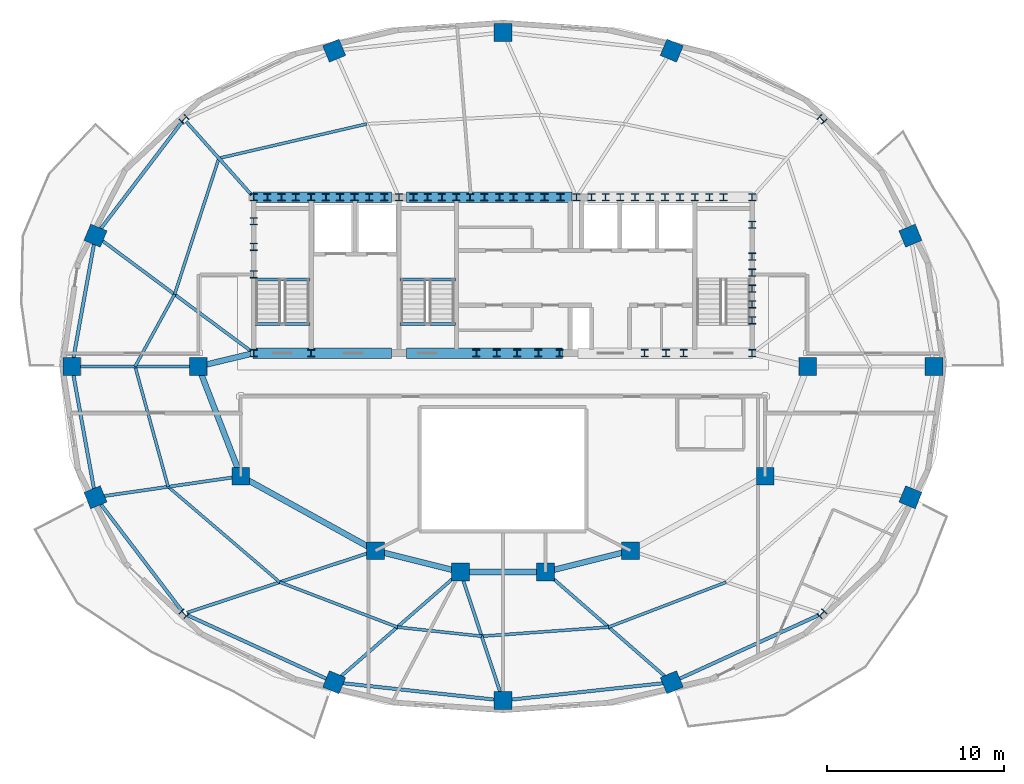
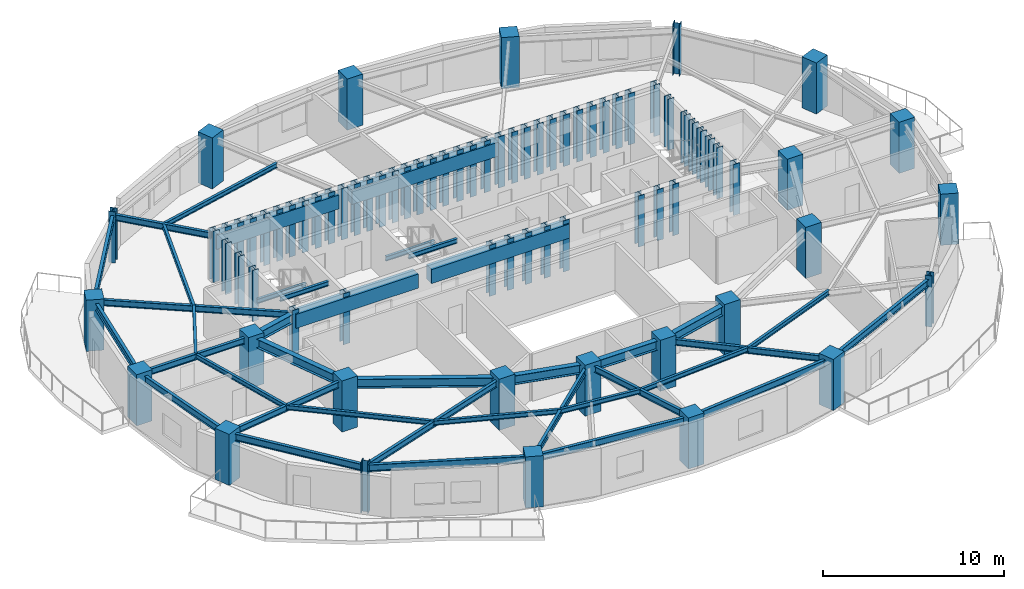
# One storey, part 1 of 9: 78 columns, 39 beams.
"""IFC4 building model written with IfcOpenShell, lengths in metres."""

from ifc_helpers import new_model, si_unit, direction, frame, origin, origin_2d, place, context, subcontext, project, spatial, rectangle, i_section, extrude, material, material_profile, profile_set, type_object, element, save


model = new_model("IFC4")

# Units and contexts
model_context = context("Model", 3, precision=1e-05, world=origin(), true_north=direction((0.0, 1.0)))
body_context = subcontext(model_context, "Body", "Model", "MODEL_VIEW")
ifc_project = project(units=[si_unit("LENGTHUNIT", "METRE"), si_unit("AREAUNIT", "SQUARE_METRE"), si_unit("VOLUMEUNIT", "CUBIC_METRE"), si_unit("PLANEANGLEUNIT", "RADIAN"), si_unit("MASSUNIT", "GRAM", prefix="KILO")], contexts=[model_context])

# Site, building, storey
site_placement = place(None, origin())
site = spatial("IfcSite", under=ifc_project, at=site_placement, CompositionType="ELEMENT")
building_placement = place(site_placement, origin())
building = spatial("IfcBuilding", under=site, at=building_placement, Name="Haldorwick Loom Tower", CompositionType="ELEMENT")
storey_placement = place(building_placement, frame((0.0, 0.0, 244.35009765625)))
storey = spatial("IfcBuildingStorey", under=building, at=storey_placement, Name="L66", CompositionType="ELEMENT", Elevation=244.35009765625)

# Columns
ifc_material_1 = material(Name="Concrete C60 (60 MPa)", Category="concrete")
ifc_material_profile_1 = material_profile(ifc_material_1, rectangle(XDim=1.0, YDim=1.0, at=origin_2d()), Name="RC1000X1000", Category="concrete")
ifc_profile_set_1 = profile_set([ifc_material_profile_1], Name="Concrete C60 (60 MPa)")
column_type_1 = type_object("IfcColumnType", Name="STR-COL-RC1000", PredefinedType="COLUMN", material=ifc_profile_set_1)
for number, where, z_axis, x_axis, name in (
    (1, (53.199951171875, 26.0, 0.0), (0.0, 0.0, 1.0), (1.0, 0.0, 0.0), "L66 Inner Column IC-01"),
    (2, (50.800048828125, 19.800048828125, 0.0), (0.0, 0.0, 1.0), (1.0, 0.0, 0.0), "L66 Inner Column IC-02"),
    (3, (43.199951171875, 15.60009765625, 0.0), (0.0, 0.0, 1.0), (1.0, 0.0, 0.0), "L66 Inner Column IC-03"),
    (4, (38.39990234375, 14.39990234375, 0.0), (0.0, 0.0, 1.0), (1.0, 0.0, 0.0), "L66 Inner Column IC-04"),
    (5, (33.60009765625, 14.39990234375, 0.0), (0.0, 0.0, 1.0), (1.0, 0.0, 0.0), "L66 Inner Column IC-05"),
    (6, (28.800048828125, 15.60009765625, 0.0), (0.0, 0.0, 1.0), (1.0, 0.0, 0.0), "L66 Inner Column IC-06"),
    (7, (21.199951171875, 19.800048828125, 0.0), (0.0, 0.0, 1.0), (1.0, 0.0, 0.0), "L66 Inner Column IC-07"),
    (8, (18.800048828125, 26.0, 0.0), (0.0, 0.0, 1.0), (1.0, 0.0, 0.0), "L66 Inner Column IC-08"),
    (9, (60.3369140625, 26.0, 0.0), (0.0, 0.0, 1.0), (1.0, 0.0, 0.0), "L66 Perimeter Pier Column P01"),
    (10, (59.004638671875, 33.3857421875, 0.0), (0.0, 0.0, 1.0), (0.923879532511, 0.382683432365, 0.0), "L66 Perimeter Pier Column P02"),
    (11, (45.52880859375, 43.830810546875, 0.0), (0.0, 0.0, 1.0), (0.382683432365, 0.923879532511, 0.0), "L66 Perimeter Pier Column P04"),
    (12, (36.0, 44.860107421875, 0.0), (0.0, 0.0, 1.0), (0.0, 1.0, 0.0), "L66 Perimeter Pier Column P05"),
    (13, (26.47119140625, 43.830810546875, 0.0), (0.0, 0.0, 1.0), (-0.382683432365, 0.923879532511, 0.0), "L66 Perimeter Pier Column P06"),
    (14, (12.995361328125, 33.3857421875, 0.0), (0.0, 0.0, 1.0), (-0.923879532511, 0.382683432365, 0.0), "L66 Perimeter Pier Column P08"),
    (15, (11.6630859375, 26.0, 0.0), (0.0, 0.0, 1.0), (-1.0, 0.0, 0.0), "L66 Perimeter Pier Column P09"),
    (16, (12.995361328125, 18.6142578125, 0.0), (0.0, 0.0, 1.0), (-0.923879532511, -0.382683432365, 0.0), "L66 Perimeter Pier Column P10"),
    (17, (26.47119140625, 8.169189453125, 0.0), (0.0, 0.0, 1.0), (-0.382683432365, -0.923879532511, 0.0), "L66 Perimeter Pier Column P12"),
    (18, (36.0, 7.139892578125, 0.0), (0.0, 0.0, 1.0), (0.0, -1.0, 0.0), "L66 Perimeter Pier Column P13"),
    (19, (45.52880859375, 8.169189453125, 0.0), (0.0, 0.0, 1.0), (0.382683432365, -0.923879532511, 0.0), "L66 Perimeter Pier Column P14"),
    (20, (59.004638671875, 18.6142578125, 0.0), (0.0, 0.0, 1.0), (0.923879532511, -0.382683432365, 0.0), "L66 Perimeter Pier Column P16"),
):
    element("IfcColumn", number, at=place(storey_placement, frame(where, z_axis=z_axis, x_axis=x_axis)), inside=storey, type_object=column_type_1, Name=name, PredefinedType="COLUMN", context=body_context, shape_type="SweptSolid", body=[
        extrude(rectangle(XDim=1.0, YDim=1.0, at=origin_2d()), origin(), (0.0, 0.0, 1.0), 3.449951171875),
    ])
ifc_material_2 = material(Name="Steel CSA G40.21 350W", Category="steel")
ifc_material_profile_2 = material_profile(ifc_material_2, i_section(OverallWidth=0.406005859375, OverallDepth=0.416015625, WebThickness=0.024169921875, FlangeThickness=0.03857421875, at=origin_2d()), Name="W360X382", Category="steel")
ifc_profile_set_2 = profile_set([ifc_material_profile_2], Name="Steel CSA G40.21 350W")
column_type_2 = type_object("IfcColumnType", Name="STR-COL-W360X382", PredefinedType="COLUMN", material=ifc_profile_set_2)
for number, where, z_axis, x_axis, name in (
    (21, (21.929931640625, 35.550048828125, 0.0), (0.0, 0.0, 1.0), (1.0, 0.0, 0.0), "L66 Core Pilaster CB-01"),
    (22, (23.5, 35.550048828125, 0.0), (0.0, 0.0, 1.0), (1.0, 0.0, 0.0), "L66 Core Pilaster CB-02"),
    (23, (25.169921875, 35.550048828125, 0.0), (0.0, 0.0, 1.0), (1.0, 0.0, 0.0), "L66 Core Pilaster CB-03"),
    (24, (26.800048828125, 35.550048828125, 0.0), (0.0, 0.0, 1.0), (1.0, 0.0, 0.0), "L66 Core Pilaster CB-04"),
    (25, (28.449951171875, 35.550048828125, 0.0), (0.0, 0.0, 1.0), (1.0, 0.0, 0.0), "L66 Core Pilaster CB-05"),
    (26, (30.1298828125, 35.550048828125, 0.0), (0.0, 0.0, 1.0), (1.0, 0.0, 0.0), "L66 Core Pilaster CB-06"),
    (27, (31.75, 35.550048828125, 0.0), (0.0, 0.0, 1.0), (1.0, 0.0, 0.0), "L66 Core Pilaster CB-07"),
    (28, (33.3701171875, 35.550048828125, 0.0), (0.0, 0.0, 1.0), (1.0, 0.0, 0.0), "L66 Core Pilaster CB-08"),
    (29, (34.949951171875, 35.550048828125, 0.0), (0.0, 0.0, 1.0), (1.0, 0.0, 0.0), "L66 Core Pilaster CB-09"),
    (30, (36.60009765625, 35.550048828125, 0.0), (0.0, 0.0, 1.0), (1.0, 0.0, 0.0), "L66 Core Pilaster CB-10"),
    (31, (38.35009765625, 35.550048828125, 0.0), (0.0, 0.0, 1.0), (1.0, 0.0, 0.0), "L66 Core Pilaster CB-11"),
    (32, (40.14990234375, 35.550048828125, 0.0), (0.0, 0.0, 1.0), (1.0, 0.0, 0.0), "L66 Core Pilaster CB-12"),
    (33, (41.800048828125, 35.550048828125, 0.0), (0.0, 0.0, 1.0), (1.0, 0.0, 0.0), "L66 Core Pilaster CB-13"),
    (34, (43.449951171875, 35.550048828125, 0.0), (0.0, 0.0, 1.0), (1.0, 0.0, 0.0), "L66 Core Pilaster CB-14"),
    (35, (45.14990234375, 35.550048828125, 0.0), (0.0, 0.0, 1.0), (1.0, 0.0, 0.0), "L66 Core Pilaster CB-15"),
    (36, (46.830078125, 35.550048828125, 0.0), (0.0, 0.0, 1.0), (1.0, 0.0, 0.0), "L66 Core Pilaster CB-16"),
    (37, (48.449951171875, 35.550048828125, 0.0), (0.0, 0.0, 1.0), (1.0, 0.0, 0.0), "L66 Core Pilaster CB-17"),
    (38, (50.070068359375, 35.550048828125, 0.0), (0.0, 0.0, 1.0), (1.0, 0.0, 0.0), "L66 Core Pilaster CB-18"),
    (39, (21.929931640625, 26.75, 0.0), (0.0, 0.0, 1.0), (1.0, 0.0, 0.0), "L66 Core Pilaster CB-19"),
    (40, (25.169921875, 26.75, 0.0), (0.0, 0.0, 1.0), (1.0, 0.0, 0.0), "L66 Core Pilaster CB-20"),
    (41, (34.5, 26.75, 0.0), (0.0, 0.0, 1.0), (1.0, 0.0, 0.0), "L66 Core Pilaster CB-21"),
    (42, (36.800048828125, 26.75, 0.0), (0.0, 0.0, 1.0), (1.0, 0.0, 0.0), "L66 Core Pilaster CB-22"),
    (43, (39.199951171875, 26.75, 0.0), (0.0, 0.0, 1.0), (1.0, 0.0, 0.0), "L66 Core Pilaster CB-23"),
    (44, (45.199951171875, 26.75, 0.0), (0.0, 0.0, 1.0), (1.0, 0.0, 0.0), "L66 Core Pilaster CB-24"),
    (45, (50.070068359375, 26.75, 0.0), (0.0, 0.0, 1.0), (1.0, 0.0, 0.0), "L66 Core Pilaster CB-25"),
    (46, (21.929931640625, 31.199951171875, 0.0), (0.0, 0.0, 1.0), (1.0, 0.0, 0.0), "L66 Core Pilaster CB-26"),
    (47, (21.929931640625, 32.75, 0.0), (0.0, 0.0, 1.0), (1.0, 0.0, 0.0), "L66 Core Pilaster CB-27"),
    (48, (21.929931640625, 34.199951171875, 0.0), (0.0, 0.0, 1.0), (1.0, 0.0, 0.0), "L66 Core Pilaster CB-28"),
    (49, (50.070068359375, 28.60009765625, 0.0), (0.0, 0.0, 1.0), (1.0, 0.0, 0.0), "L66 Core Pilaster CB-29"),
    (50, (50.070068359375, 30.39990234375, 0.0), (0.0, 0.0, 1.0), (1.0, 0.0, 0.0), "L66 Core Pilaster CB-30"),
    (51, (50.070068359375, 32.199951171875, 0.0), (0.0, 0.0, 1.0), (1.0, 0.0, 0.0), "L66 Core Pilaster CB-31"),
    (52, (50.070068359375, 34.0, 0.0), (0.0, 0.0, 1.0), (1.0, 0.0, 0.0), "L66 Core Pilaster CB-32"),
    (53, (22.699951171875, 35.550048828125, 0.0), (0.0, 0.0, 1.0), (1.0, 0.0, 0.0), "L66 Core Pilaster CB-33"),
    (54, (27.6201171875, 35.550048828125, 0.0), (0.0, 0.0, 1.0), (1.0, 0.0, 0.0), "L66 Core Pilaster CB-34"),
    (55, (32.550048828125, 35.550048828125, 0.0), (0.0, 0.0, 1.0), (1.0, 0.0, 0.0), "L66 Core Pilaster CB-35"),
    (56, (37.5, 35.550048828125, 0.0), (0.0, 0.0, 1.0), (1.0, 0.0, 0.0), "L66 Core Pilaster CB-36"),
    (57, (42.6201171875, 35.550048828125, 0.0), (0.0, 0.0, 1.0), (1.0, 0.0, 0.0), "L66 Core Pilaster CB-37"),
    (58, (47.64990234375, 35.550048828125, 0.0), (0.0, 0.0, 1.0), (1.0, 0.0, 0.0), "L66 Core Pilaster CB-38"),
    (59, (24.300048828125, 35.550048828125, 0.0), (0.0, 0.0, 1.0), (1.0, 0.0, 0.0), "L66 Core Pilaster CB-39"),
    (60, (26.0, 35.550048828125, 0.0), (0.0, 0.0, 1.0), (1.0, 0.0, 0.0), "L66 Core Pilaster CB-40"),
    (61, (29.300048828125, 35.550048828125, 0.0), (0.0, 0.0, 1.0), (1.0, 0.0, 0.0), "L66 Core Pilaster CB-41"),
    (62, (30.949951171875, 35.550048828125, 0.0), (0.0, 0.0, 1.0), (1.0, 0.0, 0.0), "L66 Core Pilaster CB-42"),
    (63, (34.14990234375, 35.550048828125, 0.0), (0.0, 0.0, 1.0), (1.0, 0.0, 0.0), "L66 Core Pilaster CB-43"),
    (64, (35.800048828125, 35.550048828125, 0.0), (0.0, 0.0, 1.0), (1.0, 0.0, 0.0), "L66 Core Pilaster CB-44"),
    (65, (39.25, 35.550048828125, 0.0), (0.0, 0.0, 1.0), (1.0, 0.0, 0.0), "L66 Core Pilaster CB-45"),
    (66, (41.0, 35.550048828125, 0.0), (0.0, 0.0, 1.0), (1.0, 0.0, 0.0), "L66 Core Pilaster CB-46"),
    (67, (44.300048828125, 35.550048828125, 0.0), (0.0, 0.0, 1.0), (1.0, 0.0, 0.0), "L66 Core Pilaster CB-47"),
    (68, (46.0, 35.550048828125, 0.0), (0.0, 0.0, 1.0), (1.0, 0.0, 0.0), "L66 Core Pilaster CB-48"),
    (69, (50.070068359375, 29.5, 0.0), (0.0, 0.0, 1.0), (1.0, 0.0, 0.0), "L66 Core Pilaster CB-49"),
    (70, (50.070068359375, 31.300048828125, 0.0), (0.0, 0.0, 1.0), (1.0, 0.0, 0.0), "L66 Core Pilaster CB-50"),
    (71, (35.64990234375, 26.75, 0.0), (0.0, 0.0, 1.0), (1.0, 0.0, 0.0), "L66 Core Pilaster CB-51"),
    (72, (38.0, 26.75, 0.0), (0.0, 0.0, 1.0), (1.0, 0.0, 0.0), "L66 Core Pilaster CB-52"),
    (73, (44.0, 26.75, 0.0), (0.0, 0.0, 1.0), (1.0, 0.0, 0.0), "L66 Core Pilaster CB-53"),
    (74, (46.199951171875, 26.75, 0.0), (0.0, 0.0, 1.0), (1.0, 0.0, 0.0), "L66 Core Pilaster CB-54"),
    (75, (54.005126953125, 39.958251953125, 0.0), (0.0, 0.0, 1.0), (0.707106781187, 0.707106781187, 0.0), "L66 Perimeter Pier Column P03"),
    (76, (17.994873046875, 39.958251953125, 0.0), (0.0, 0.0, 1.0), (-0.707106781187, 0.707106781187, 0.0), "L66 Perimeter Pier Column P07"),
    (77, (17.994873046875, 12.041748046875, 0.0), (0.0, 0.0, 1.0), (-0.707106781187, -0.707106781187, 0.0), "L66 Perimeter Pier Column P11"),
    (78, (54.005126953125, 12.041748046875, 0.0), (0.0, 0.0, 1.0), (0.707106781187, -0.707106781187, 0.0), "L66 Perimeter Pier Column P15"),
):
    element("IfcColumn", number, at=place(storey_placement, frame(where, z_axis=z_axis, x_axis=x_axis)), inside=storey, type_object=column_type_2, Name=name, PredefinedType="COLUMN", context=body_context, shape_type="SweptSolid", body=[
        extrude(i_section(OverallWidth=0.406005859375, OverallDepth=0.416015625, WebThickness=0.024169921875, FlangeThickness=0.03857421875, at=origin_2d()), origin(), (0.0, 0.0, 1.0), 3.449951171875),
    ])

# Beams
ifc_material_3 = material(Name="Concrete C50 (50 MPa)", Category="concrete")
ifc_material_profile_3 = material_profile(ifc_material_3, rectangle(XDim=0.60009765625, YDim=0.949951171875, at=origin_2d()), Name="RC600X950", Category="concrete")
ifc_profile_set_3 = profile_set([ifc_material_profile_3], Name="Concrete C50 (50 MPa)")
beam_type_1 = type_object("IfcBeamType", Name="STR-BM-CB950", PredefinedType="LINTEL", material=ifc_profile_set_3)
beam_1_placement = place(storey_placement, frame((21.89990234375, 35.550048828125, 2.71484375), z_axis=(1.0, 0.0, 0.0), x_axis=(0.0, 1.0, 0.0)))
element("IfcBeam", 79, at=beam_1_placement, inside=storey, type_object=beam_type_1, Name="L66 Core Coupling Beam CB-N1", PredefinedType="LINTEL", context=body_context, shape_type="SweptSolid", body=[
    extrude(rectangle(XDim=0.60009765625, YDim=0.949951171875, at=origin_2d()), origin(), (0.0, 0.0, 1.0), 7.800048828125),
])
beam_2_placement = place(storey_placement, frame((30.550048828125, 35.550048828125, 2.71484375), z_axis=(1.0, 0.0, 0.0), x_axis=(0.0, 1.0, 0.0)))
element("IfcBeam", 80, at=beam_2_placement, inside=storey, type_object=beam_type_1, Name="L66 Core Coupling Beam CB-N2", PredefinedType="LINTEL", context=body_context, shape_type="SweptSolid", body=[
    extrude(rectangle(XDim=0.60009765625, YDim=0.949951171875, at=origin_2d()), origin(), (0.0, 0.0, 1.0), 9.349853515625),
])
beam_3_placement = place(storey_placement, frame((21.89990234375, 26.75, 2.71484375), z_axis=(1.0, 0.0, 0.0), x_axis=(0.0, 1.0, 0.0)))
element("IfcBeam", 81, at=beam_3_placement, inside=storey, type_object=beam_type_1, Name="L66 Core Coupling Beam CB-S1", PredefinedType="LINTEL", context=body_context, shape_type="SweptSolid", body=[
    extrude(rectangle(XDim=0.60009765625, YDim=0.949951171875, at=origin_2d()), origin(), (0.0, 0.0, 1.0), 7.800048828125),
])
beam_4_placement = place(storey_placement, frame((30.550048828125, 26.75, 2.71484375), z_axis=(1.0, 0.0, 0.0), x_axis=(0.0, 1.0, 0.0)))
element("IfcBeam", 82, at=beam_4_placement, inside=storey, type_object=beam_type_1, Name="L66 Core Coupling Beam CB-S2", PredefinedType="LINTEL", context=body_context, shape_type="SweptSolid", body=[
    extrude(rectangle(XDim=0.60009765625, YDim=0.949951171875, at=origin_2d()), origin(), (0.0, 0.0, 1.0), 8.800048828125),
])
ifc_material_profile_4 = material_profile(ifc_material_2, i_section(OverallWidth=0.166015625, OverallDepth=0.31298828125, WebThickness=0.006591796875, FlangeThickness=0.01123046875, at=origin_2d()), Name="W310X45", Category="steel")
ifc_profile_set_4 = profile_set([ifc_material_profile_4], Name="Steel CSA G40.21 350W")
beam_type_2 = type_object("IfcBeamType", Name="STR-BM-J310", PredefinedType="JOIST", material=ifc_profile_set_4)
beam_5_placement = place(storey_placement, frame((28.300537109375, 39.6904296875, 3.033447265625), z_axis=(-0.974080706337, -0.226200746112, 0.0), x_axis=(0.226200746112, -0.974080706337, 0.0)))
element("IfcBeam", 83, at=beam_5_placement, inside=storey, type_object=beam_type_2, Name="L66 Mid-Bay Secondary Joist 6", PredefinedType="JOIST", context=body_context, shape_type="SweptSolid", body=[
    extrude(i_section(OverallWidth=0.166015625, OverallDepth=0.31298828125, WebThickness=0.006591796875, FlangeThickness=0.01123046875, at=origin_2d()), origin(), (0.0, 0.0, 1.0), 8.56005859375),
])
beam_6_placement = place(storey_placement, frame((19.96240234375, 37.754150390625, 3.033447265625), z_axis=(-0.309277990337, -0.95097167397, 0.0), x_axis=(0.95097167397, -0.309277990337, 0.0)))
element("IfcBeam", 84, at=beam_6_placement, inside=storey, type_object=beam_type_2, Name="L66 Mid-Bay Secondary Joist 7", PredefinedType="JOIST", context=body_context, shape_type="SweptSolid", body=[
    extrude(i_section(OverallWidth=0.166015625, OverallDepth=0.31298828125, WebThickness=0.006591796875, FlangeThickness=0.01123046875, at=origin_2d()), origin(), (0.0, 0.0, 1.0), 8.08251953125),
])
beam_7_placement = place(storey_placement, frame((17.462646484375, 30.06787109375, 3.033447265625), z_axis=(-0.480863931781, -0.876795232145, 0.0), x_axis=(0.876795232145, -0.480863931781, 0.0)))
element("IfcBeam", 85, at=beam_7_placement, inside=storey, type_object=beam_type_2, Name="L66 Mid-Bay Secondary Joist 8", PredefinedType="JOIST", context=body_context, shape_type="SweptSolid", body=[
    extrude(i_section(OverallWidth=0.166015625, OverallDepth=0.31298828125, WebThickness=0.006591796875, FlangeThickness=0.01123046875, at=origin_2d()), origin(), (0.0, 0.0, 1.0), 4.639404296875),
])
beam_8_placement = place(storey_placement, frame((15.231689453125, 26.0, 3.033447265625), z_axis=(0.264879381431, -0.964281552915, 0.0), x_axis=(0.964281552915, 0.264879381431, 0.0)))
element("IfcBeam", 86, at=beam_8_placement, inside=storey, type_object=beam_type_2, Name="L66 Mid-Bay Secondary Joist 9", PredefinedType="JOIST", context=body_context, shape_type="SweptSolid", body=[
    extrude(i_section(OverallWidth=0.166015625, OverallDepth=0.31298828125, WebThickness=0.006591796875, FlangeThickness=0.01123046875, at=origin_2d()), origin(), (0.0, 0.0, 1.0), 7.044677734375),
])
beam_9_placement = place(storey_placement, frame((17.09765625, 19.20703125, 3.033447265625), z_axis=(0.760066902561, -0.649844830426, 0.0), x_axis=(0.649844830426, 0.760066902561, 0.0)))
element("IfcBeam", 87, at=beam_9_placement, inside=storey, type_object=beam_type_2, Name="L66 Mid-Bay Secondary Joist 10", PredefinedType="JOIST", context=body_context, shape_type="SweptSolid", body=[
    extrude(i_section(OverallWidth=0.166015625, OverallDepth=0.31298828125, WebThickness=0.006591796875, FlangeThickness=0.01123046875, at=origin_2d()), origin(), (0.0, 0.0, 1.0), 8.28857421875),
])
beam_10_placement = place(storey_placement, frame((23.3974609375, 13.82080078125, 3.033447265625), z_axis=(0.934134056558, -0.356922350628, 0.0), x_axis=(0.356922350628, 0.934134056558, 0.0)))
element("IfcBeam", 88, at=beam_10_placement, inside=storey, type_object=beam_type_2, Name="L66 Mid-Bay Secondary Joist 11", PredefinedType="JOIST", context=body_context, shape_type="SweptSolid", body=[
    extrude(i_section(OverallWidth=0.166015625, OverallDepth=0.31298828125, WebThickness=0.006591796875, FlangeThickness=0.01123046875, at=origin_2d()), origin(), (0.0, 0.0, 1.0), 7.106201171875),
])
beam_11_placement = place(storey_placement, frame((30.03564453125, 11.284423828125, 3.033447265625), z_axis=(0.994221899005, -0.107344378232, 0.0), x_axis=(0.107344378232, 0.994221899005, 0.0)))
element("IfcBeam", 89, at=beam_11_placement, inside=storey, type_object=beam_type_2, Name="L66 Mid-Bay Secondary Joist 12", PredefinedType="JOIST", context=body_context, shape_type="SweptSolid", body=[
    extrude(i_section(OverallWidth=0.166015625, OverallDepth=0.31298828125, WebThickness=0.006591796875, FlangeThickness=0.01123046875, at=origin_2d()), origin(), (0.0, 0.0, 1.0), 4.7919921875),
])
beam_12_placement = place(storey_placement, frame((34.800048828125, 10.77001953125, 3.033447265625), z_axis=(0.997432233153, 0.071616620046, 0.0), x_axis=(-0.071616620046, 0.997432233153, 0.0)))
element("IfcBeam", 90, at=beam_12_placement, inside=storey, type_object=beam_type_2, Name="L66 Mid-Bay Secondary Joist 13", PredefinedType="JOIST", context=body_context, shape_type="SweptSolid", body=[
    extrude(i_section(OverallWidth=0.166015625, OverallDepth=0.31298828125, WebThickness=0.006591796875, FlangeThickness=0.01123046875, at=origin_2d()), origin(), (0.0, 0.0, 1.0), 7.182861328125),
])
beam_13_placement = place(storey_placement, frame((41.96435546875, 11.284423828125, 3.033447265625), z_axis=(0.934134056558, 0.356922350628, 0.0), x_axis=(-0.356922350628, 0.934134056558, 0.0)))
element("IfcBeam", 91, at=beam_13_placement, inside=storey, type_object=beam_type_2, Name="L66 Mid-Bay Secondary Joist 14", PredefinedType="JOIST", context=body_context, shape_type="SweptSolid", body=[
    extrude(i_section(OverallWidth=0.166015625, OverallDepth=0.31298828125, WebThickness=0.006591796875, FlangeThickness=0.01123046875, at=origin_2d()), origin(), (0.0, 0.0, 1.0), 7.106201171875),
])
ifc_material_profile_5 = material_profile(ifc_material_2, i_section(OverallWidth=0.179931640625, OverallDepth=0.4130859375, WebThickness=0.009765625, FlangeThickness=0.01611328125, at=origin_2d()), Name="W410X74", Category="steel")
ifc_profile_set_5 = profile_set([ifc_material_profile_5], Name="Steel CSA G40.21 350W")
beam_type_3 = type_object("IfcBeamType", Name="STR-BM-J410", PredefinedType="JOIST", material=ifc_profile_set_5)
beam_14_placement = place(storey_placement, frame((21.8115234375, 35.682861328125, 2.9833984375), z_axis=(-0.665966842703, 0.745981343212, 0.0), x_axis=(-0.745981343212, -0.665966842703, 0.0)))
element("IfcBeam", 92, at=beam_14_placement, inside=storey, type_object=beam_type_3, Name="L66 Radial Floor Girder 7", PredefinedType="JOIST", context=body_context, shape_type="SweptSolid", body=[
    extrude(i_section(OverallWidth=0.179931640625, OverallDepth=0.4130859375, WebThickness=0.009765625, FlangeThickness=0.01611328125, at=origin_2d()), origin(), (0.0, 0.0, 1.0), 5.55322265625),
])
beam_15_placement = place(storey_placement, frame((21.787109375, 26.856201171875, 2.9833984375), z_axis=(-0.802807271117, 0.596238614518, 0.0), x_axis=(-0.596238614518, -0.802807271117, 0.0)))
element("IfcBeam", 93, at=beam_15_placement, inside=storey, type_object=beam_type_3, Name="L66 Radial Floor Girder 8", PredefinedType="JOIST", context=body_context, shape_type="SweptSolid", body=[
    extrude(i_section(OverallWidth=0.179931640625, OverallDepth=0.4130859375, WebThickness=0.009765625, FlangeThickness=0.01611328125, at=origin_2d()), origin(), (0.0, 0.0, 1.0), 10.476318359375),
])
beam_16_placement = place(storey_placement, frame((18.324951171875, 26.0, 2.9833984375), z_axis=(-1.0, 0.0, 0.0), x_axis=(0.0, -1.0, 0.0)))
element("IfcBeam", 94, at=beam_16_placement, inside=storey, type_object=beam_type_3, Name="L66 Radial Floor Girder 9", PredefinedType="JOIST", context=body_context, shape_type="SweptSolid", body=[
    extrude(i_section(OverallWidth=0.179931640625, OverallDepth=0.4130859375, WebThickness=0.009765625, FlangeThickness=0.01611328125, at=origin_2d()), origin(), (0.0, 0.0, 1.0), 6.186767578125),
])
beam_17_placement = place(storey_placement, frame((20.72998046875, 19.732177734375, 2.9833984375), z_axis=(-0.989713971376, -0.143060318968, 0.0), x_axis=(0.143060318968, -0.989713971376, 0.0)))
element("IfcBeam", 95, at=beam_17_placement, inside=storey, type_object=beam_type_3, Name="L66 Radial Floor Girder 10", PredefinedType="JOIST", context=body_context, shape_type="SweptSolid", body=[
    extrude(i_section(OverallWidth=0.179931640625, OverallDepth=0.4130859375, WebThickness=0.009765625, FlangeThickness=0.01611328125, at=origin_2d()), origin(), (0.0, 0.0, 1.0), 7.33984375),
])
beam_18_placement = place(storey_placement, frame((28.348876953125, 15.451416015625, 2.9833984375), z_axis=(-0.94982454623, -0.312783201882, 0.0), x_axis=(0.312783201882, -0.94982454623, 0.0)))
element("IfcBeam", 96, at=beam_18_placement, inside=storey, type_object=beam_type_3, Name="L66 Radial Floor Girder 11", PredefinedType="JOIST", context=body_context, shape_type="SweptSolid", body=[
    extrude(i_section(OverallWidth=0.179931640625, OverallDepth=0.4130859375, WebThickness=0.009765625, FlangeThickness=0.01611328125, at=origin_2d()), origin(), (0.0, 0.0, 1.0), 10.72314453125),
])
beam_19_placement = place(storey_placement, frame((33.242431640625, 14.08740234375, 2.9833984375), z_axis=(-0.752935231169, -0.65809462668, 0.0), x_axis=(0.65809462668, -0.752935231169, 0.0)))
element("IfcBeam", 97, at=beam_19_placement, inside=storey, type_object=beam_type_3, Name="L66 Radial Floor Girder 12", PredefinedType="JOIST", context=body_context, shape_type="SweptSolid", body=[
    extrude(i_section(OverallWidth=0.179931640625, OverallDepth=0.4130859375, WebThickness=0.009765625, FlangeThickness=0.01611328125, at=origin_2d()), origin(), (0.0, 0.0, 1.0), 8.51806640625),
])
beam_20_placement = place(storey_placement, frame((33.7490234375, 13.948974609375, 2.9833984375), z_axis=(0.31387519153, -0.949464251113, 0.0), x_axis=(0.949464251113, 0.31387519153, 0.0)))
element("IfcBeam", 98, at=beam_20_placement, inside=storey, type_object=beam_type_3, Name="L66 Radial Floor Girder 13", PredefinedType="JOIST", context=body_context, shape_type="SweptSolid", body=[
    extrude(i_section(OverallWidth=0.179931640625, OverallDepth=0.4130859375, WebThickness=0.009765625, FlangeThickness=0.01611328125, at=origin_2d()), origin(), (0.0, 0.0, 1.0), 6.6962890625),
])
beam_21_placement = place(storey_placement, frame((38.757568359375, 14.08740234375, 2.9833984375), z_axis=(0.752935231169, -0.65809462668, 0.0), x_axis=(0.65809462668, 0.752935231169, 0.0)))
element("IfcBeam", 99, at=beam_21_placement, inside=storey, type_object=beam_type_3, Name="L66 Radial Floor Girder 14", PredefinedType="JOIST", context=body_context, shape_type="SweptSolid", body=[
    extrude(i_section(OverallWidth=0.179931640625, OverallDepth=0.4130859375, WebThickness=0.009765625, FlangeThickness=0.01611328125, at=origin_2d()), origin(), (0.0, 0.0, 1.0), 8.51806640625),
])
ifc_material_profile_6 = material_profile(ifc_material_2, i_section(OverallWidth=0.193115234375, OverallDepth=0.466064453125, WebThickness=0.011474609375, FlangeThickness=0.01904296875, at=origin_2d()), Name="W460X97", Category="steel")
ifc_profile_set_6 = profile_set([ifc_material_profile_6], Name="Steel CSA G40.21 350W")
beam_type_4 = type_object("IfcBeamType", Name="STR-BM-SP460", PredefinedType="SPANDREL", material=ifc_profile_set_6)
beam_22_placement = place(storey_placement, frame((17.886962890625, 39.816650390625, 2.956787109375), z_axis=(-0.605410439126, -0.795913437629, 0.0), x_axis=(0.795913437629, -0.605410439126, 0.0)))
element("IfcBeam", 100, at=beam_22_placement, inside=storey, type_object=beam_type_4, Name="L66 Perimeter Spandrel 7", PredefinedType="SPANDREL", context=body_context, shape_type="SweptSolid", body=[
    extrude(i_section(OverallWidth=0.193115234375, OverallDepth=0.466064453125, WebThickness=0.011474609375, FlangeThickness=0.01904296875, at=origin_2d()), origin(), (0.0, 0.0, 1.0), 7.604736328125),
])
for number, where, z_axis, x_axis, name in (
    (101, (12.9111328125, 32.918212890625, 2.956787109375), (-0.177515201984, -0.984118058499, 0.0), (0.984118058499, -0.177515201984, 0.0), "L66 Perimeter Spandrel 8"),
    (102, (11.74755859375, 25.532470703125, 2.956787109375), (0.177515201984, -0.984118058499, 0.0), (0.984118058499, 0.177515201984, 0.0), "L66 Perimeter Spandrel 9"),
):
    element("IfcBeam", number, at=place(storey_placement, frame(where, z_axis=z_axis, x_axis=x_axis)), inside=storey, type_object=beam_type_4, Name=name, PredefinedType="SPANDREL", context=body_context, shape_type="SweptSolid", body=[
        extrude(i_section(OverallWidth=0.193115234375, OverallDepth=0.466064453125, WebThickness=0.011474609375, FlangeThickness=0.01904296875, at=origin_2d()), origin(), (0.0, 0.0, 1.0), 6.5546875),
    ])
beam_23_placement = place(storey_placement, frame((13.282958984375, 18.236083984375, 2.956787109375), z_axis=(0.605410439126, -0.795913437629, 0.0), x_axis=(0.795913437629, 0.605410439126, 0.0)))
element("IfcBeam", 103, at=beam_23_placement, inside=storey, type_object=beam_type_4, Name="L66 Perimeter Spandrel 10", PredefinedType="SPANDREL", context=body_context, shape_type="SweptSolid", body=[
    extrude(i_section(OverallWidth=0.193115234375, OverallDepth=0.466064453125, WebThickness=0.011474609375, FlangeThickness=0.01904296875, at=origin_2d()), origin(), (0.0, 0.0, 1.0), 7.604736328125),
])
beam_24_placement = place(storey_placement, frame((18.15673828125, 11.9677734375, 2.956787109375), z_axis=(0.909567887863, -0.415555360172, 0.0), x_axis=(0.415555360172, 0.909567887863, 0.0)))
element("IfcBeam", 104, at=beam_24_placement, inside=storey, type_object=beam_type_4, Name="L66 Perimeter Spandrel 11", PredefinedType="SPANDREL", context=body_context, shape_type="SweptSolid", body=[
    extrude(i_section(OverallWidth=0.193115234375, OverallDepth=0.466064453125, WebThickness=0.011474609375, FlangeThickness=0.01904296875, at=origin_2d()), origin(), (0.0, 0.0, 1.0), 8.666259765625),
])
for number, where, z_axis, x_axis, name in (
    (105, (26.943603515625, 8.1181640625, 2.956787109375), (0.994216353781, -0.107395725588, 0.0), (0.107395725588, 0.994216353781, 0.0), "L66 Perimeter Spandrel 12"),
    (106, (36.472412109375, 7.19091796875, 2.956787109375), (0.994216353781, 0.107395725588, 0.0), (-0.107395725588, 0.994216353781, 0.0), "L66 Perimeter Spandrel 13"),
):
    element("IfcBeam", number, at=place(storey_placement, frame(where, z_axis=z_axis, x_axis=x_axis)), inside=storey, type_object=beam_type_4, Name=name, PredefinedType="SPANDREL", context=body_context, shape_type="SweptSolid", body=[
        extrude(i_section(OverallWidth=0.193115234375, OverallDepth=0.466064453125, WebThickness=0.011474609375, FlangeThickness=0.01904296875, at=origin_2d()), origin(), (0.0, 0.0, 1.0), 8.634033203125),
    ])
beam_25_placement = place(storey_placement, frame((45.960693359375, 8.366455078125, 2.956787109375), z_axis=(0.909567887863, 0.415555360172, 0.0), x_axis=(-0.415555360172, 0.909567887863, 0.0)))
element("IfcBeam", 107, at=beam_25_placement, inside=storey, type_object=beam_type_4, Name="L66 Perimeter Spandrel 14", PredefinedType="SPANDREL", context=body_context, shape_type="SweptSolid", body=[
    extrude(i_section(OverallWidth=0.193115234375, OverallDepth=0.466064453125, WebThickness=0.011474609375, FlangeThickness=0.01904296875, at=origin_2d()), origin(), (0.0, 0.0, 1.0), 8.666259765625),
])
ifc_material_profile_7 = material_profile(ifc_material_2, i_section(OverallWidth=0.166015625, OverallDepth=0.31298828125, WebThickness=0.006591796875, FlangeThickness=0.01123046875, at=origin_2d()), Name="W310X45", Category="steel")
ifc_profile_set_7 = profile_set([ifc_material_profile_7], Name="Steel CSA G40.21 350W")
beam_type_5 = type_object("IfcBeamType", Name="STR-BM-STRM", PredefinedType="BEAM", material=ifc_profile_set_7)
for number, where, z_axis, x_axis, name in (
    (108, (21.989990234375, 28.39990234375, 3.033447265625), (1.0, 0.0, 0.0), (0.0, 1.0, 0.0), "L66 Stair ST-01 Landing Edge Trimmer"),
    (109, (21.989990234375, 30.919921875, 1.368408203125), (1.0, 0.0, 0.0), (0.0, 1.0, 0.0), "L66 Stair ST-01 Half-Landing Trimmer 1"),
    (110, (30.18994140625, 28.39990234375, 3.033447265625), (1.0, 0.0, 0.0), (0.0, 1.0, 0.0), "L66 Stair ST-03 Landing Edge Trimmer"),
    (111, (30.18994140625, 30.919921875, 1.368408203125), (1.0, 0.0, 0.0), (0.0, 1.0, 0.0), "L66 Stair ST-03 Half-Landing Trimmer 1"),
):
    element("IfcBeam", number, at=place(storey_placement, frame(where, z_axis=z_axis, x_axis=x_axis)), inside=storey, type_object=beam_type_5, Name=name, PredefinedType="BEAM", context=body_context, shape_type="SweptSolid", body=[
        extrude(i_section(OverallWidth=0.166015625, OverallDepth=0.31298828125, WebThickness=0.006591796875, FlangeThickness=0.01123046875, at=origin_2d()), origin(), (0.0, 0.0, 1.0), 3.1201171875),
    ])
ifc_material_profile_8 = material_profile(ifc_material_2, i_section(OverallWidth=0.324951171875, OverallDepth=0.615966796875, WebThickness=0.013916015625, FlangeThickness=0.021484375, at=origin_2d()), Name="W610X174", Category="steel")
ifc_profile_set_8 = profile_set([ifc_material_profile_8], Name="Steel CSA G40.21 350W")
beam_type_6 = type_object("IfcBeamType", Name="STR-BM-W610A", PredefinedType="BEAM", material=ifc_profile_set_8)
beam_26_placement = place(storey_placement, frame((42.7392578125, 15.48486328125, 2.8818359375), z_axis=(-0.970135315182, -0.242564363081, 0.0), x_axis=(0.242564363081, -0.970135315182, 0.0)))
element("IfcBeam", 112, at=beam_26_placement, inside=storey, type_object=beam_type_6, Name="L66 Inner Ring Girder 4", PredefinedType="BEAM", context=body_context, shape_type="SweptSolid", body=[
    extrude(i_section(OverallWidth=0.324951171875, OverallDepth=0.615966796875, WebThickness=0.013916015625, FlangeThickness=0.021484375, at=origin_2d()), origin(), (0.0, 0.0, 1.0), 3.997802734375),
])
beam_27_placement = place(storey_placement, frame((37.925048828125, 14.39990234375, 2.8818359375), z_axis=(-1.0, 0.0, 0.0), x_axis=(0.0, -1.0, 0.0)))
element("IfcBeam", 113, at=beam_27_placement, inside=storey, type_object=beam_type_6, Name="L66 Inner Ring Girder 5", PredefinedType="BEAM", context=body_context, shape_type="SweptSolid", body=[
    extrude(i_section(OverallWidth=0.324951171875, OverallDepth=0.615966796875, WebThickness=0.013916015625, FlangeThickness=0.021484375, at=origin_2d()), origin(), (0.0, 0.0, 1.0), 3.85009765625),
])
beam_28_placement = place(storey_placement, frame((33.13916015625, 14.51513671875, 2.8818359375), z_axis=(-0.970135315182, 0.242564363081, 0.0), x_axis=(-0.242564363081, -0.970135315182, 0.0)))
element("IfcBeam", 114, at=beam_28_placement, inside=storey, type_object=beam_type_6, Name="L66 Inner Ring Girder 6", PredefinedType="BEAM", context=body_context, shape_type="SweptSolid", body=[
    extrude(i_section(OverallWidth=0.324951171875, OverallDepth=0.615966796875, WebThickness=0.013916015625, FlangeThickness=0.021484375, at=origin_2d()), origin(), (0.0, 0.0, 1.0), 3.997802734375),
])
beam_29_placement = place(storey_placement, frame((28.38427734375, 15.829833984375, 2.8818359375), z_axis=(-0.875243645673, 0.483682293152, 0.0), x_axis=(-0.483682293152, -0.875243645673, 0.0)))
element("IfcBeam", 115, at=beam_29_placement, inside=storey, type_object=beam_type_6, Name="L66 Inner Ring Girder 7", PredefinedType="BEAM", context=body_context, shape_type="SweptSolid", body=[
    extrude(i_section(OverallWidth=0.324951171875, OverallDepth=0.615966796875, WebThickness=0.013916015625, FlangeThickness=0.021484375, at=origin_2d()), origin(), (0.0, 0.0, 1.0), 7.7333984375),
])
beam_30_placement = place(storey_placement, frame((21.028564453125, 20.242919921875, 2.8818359375), z_axis=(-0.36101093026, 0.93256158415, 0.0), x_axis=(-0.93256158415, -0.36101093026, 0.0)))
element("IfcBeam", 116, at=beam_30_placement, inside=storey, type_object=beam_type_6, Name="L66 Inner Ring Girder 8", PredefinedType="BEAM", context=body_context, shape_type="SweptSolid", body=[
    extrude(i_section(OverallWidth=0.324951171875, OverallDepth=0.615966796875, WebThickness=0.013916015625, FlangeThickness=0.021484375, at=origin_2d()), origin(), (0.0, 0.0, 1.0), 5.6982421875),
])
beam_31_placement = place(storey_placement, frame((19.261962890625, 26.110595703125, 2.8818359375), z_axis=(0.972464127734, 0.233052612665, 0.0), x_axis=(-0.233052612665, 0.972464127734, 0.0)))
element("IfcBeam", 117, at=beam_31_placement, inside=storey, type_object=beam_type_6, Name="L66 Inner Ring Girder 9", PredefinedType="BEAM", context=body_context, shape_type="SweptSolid", body=[
    extrude(i_section(OverallWidth=0.324951171875, OverallDepth=0.615966796875, WebThickness=0.013916015625, FlangeThickness=0.021484375, at=origin_2d()), origin(), (0.0, 0.0, 1.0), 2.5654296875),
])

save(model, "model.ifc")
